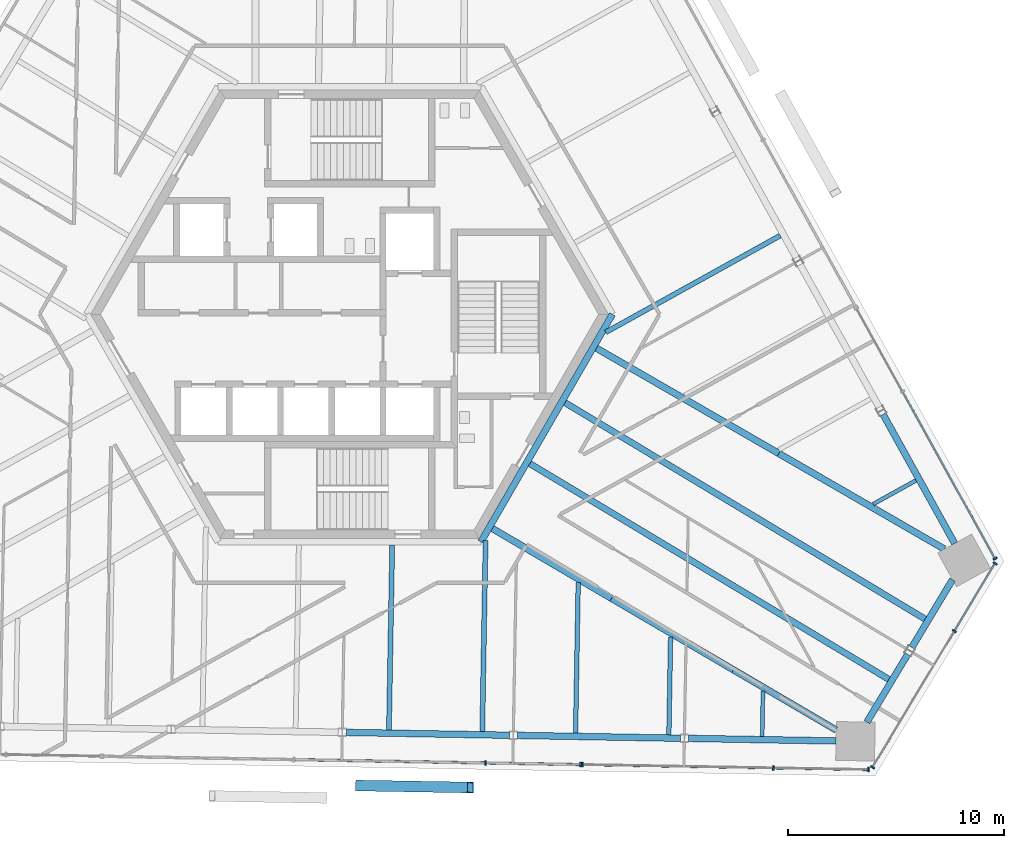
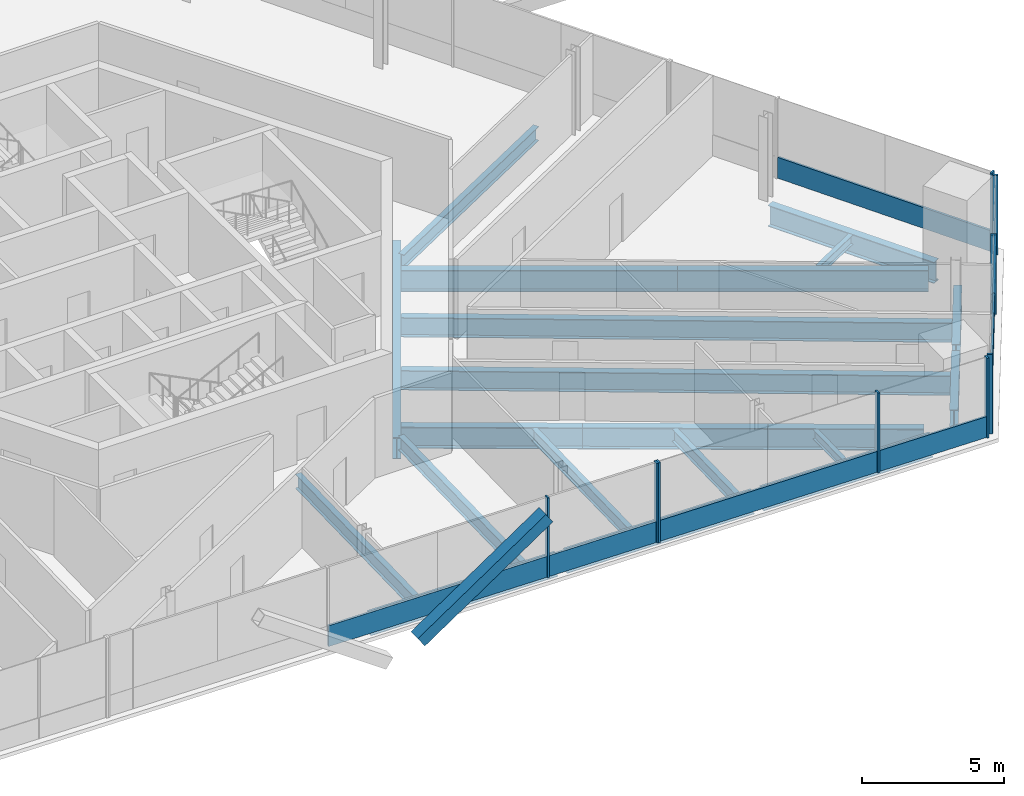
# One storey, part 6 of 18: 21 beams, 17 members, 4 elements without a shape of their own.
"""IFC4 building model written with IfcOpenShell, lengths in metres."""

from ifc_helpers import new_model, si_unit, direction, frame, origin, origin_2d, place, context, subcontext, project, spatial, rectangle, hollow_rectangle, i_section, extrude, source, transform, mapped, material, material_profile, profile_set, type_object, element, aggregate, save


model = new_model("IFC4")

# Units and contexts
model_context = context("Model", 3, precision=1e-05, world=origin(), true_north=direction((0.0, 1.0)))
body_context = subcontext(model_context, "Body", "Model", "MODEL_VIEW")
ifc_project = project(units=[si_unit("LENGTHUNIT", "METRE"), si_unit("AREAUNIT", "SQUARE_METRE"), si_unit("VOLUMEUNIT", "CUBIC_METRE"), si_unit("PLANEANGLEUNIT", "RADIAN"), si_unit("MASSUNIT", "GRAM", prefix="KILO")], contexts=[model_context])

# Site, building, storey
site_placement = place(None, origin())
site = spatial("IfcSite", under=ifc_project, at=site_placement, CompositionType="ELEMENT")
building_placement = place(site_placement, origin())
building = spatial("IfcBuilding", under=site, at=building_placement, Name="Triune Harvest Tower", CompositionType="ELEMENT")
storey_placement = place(building_placement, frame((0.0, 0.0, 197.89990234375)))
storey = spatial("IfcBuildingStorey", under=building, at=storey_placement, Name="L51", CompositionType="ELEMENT", Elevation=197.89990234375)

# Beams
ifc_material_1 = material(Name="Steel ASTM A992 Gr 50", Category="steel")
ifc_material_profile_1 = material_profile(ifc_material_1, i_section(OverallWidth=0.3046875, OverallDepth=0.914306640625, WebThickness=0.0166015625, FlangeThickness=0.02587890625, at=origin_2d()), Name="W36x160")
ifc_profile_set_1 = profile_set([ifc_material_profile_1], Name="Steel ASTM A992 Gr 50")
beam_type_1 = type_object("IfcBeamType", Name="CG-1 Core ring girder W36x160", PredefinedType="BEAM", material=ifc_profile_set_1)
shared_shape_1 = source(origin(), body_context, "Body", "SweptSolid", [
    extrude(i_section(OverallWidth=0.3046875, OverallDepth=0.914306640625, WebThickness=0.0166015625, FlangeThickness=0.02587890625, at=origin_2d()), origin(), (0.0, 0.0, 1.0), 12.176025390625),
])
beam_1_placement = place(storey_placement, frame((6.087890625, -10.544677734375, -0.6171875), z_axis=(0.5000099932, 0.866019634131, 0.0), x_axis=(-0.866019634131, 0.5000099932, 0.0)))
element("IfcBeam", 1, at=beam_1_placement, inside=storey, type_object=beam_type_1, Name="beam/L51/CG6", PredefinedType="BEAM", context=body_context, shape_type="MappedRepresentation", body=[
    mapped(shared_shape_1, transform((0.0, 0.0, 0.0), scale=1.0)),
])
ifc_material_2 = material(Name="Steel ASTM A992 Gr 50", Category="steel")
ifc_material_profile_2 = material_profile(ifc_material_2, i_section(OverallWidth=0.307373046875, OverallDepth=0.922119140625, WebThickness=0.018310546875, FlangeThickness=0.030029296875, at=origin_2d()), Name="W36x182")
ifc_profile_set_2 = profile_set([ifc_material_profile_2], Name="Steel ASTM A992 Gr 50")
beam_type_2 = type_object("IfcBeamType", Name="HG-2 Hip girder W36x182", PredefinedType="BEAM", material=ifc_profile_set_2)
shared_shape_2 = source(origin(), body_context, "Body", "SweptSolid", [
    extrude(i_section(OverallWidth=0.307373046875, OverallDepth=0.922119140625, WebThickness=0.018310546875, FlangeThickness=0.030029296875, at=origin_2d()), origin(), (0.0, 0.0, 1.0), 9.7568359375),
])
beam_2_placement = place(storey_placement, frame((19.893310546875, -6.451904296875, -0.620849609375), z_axis=(-0.866026409454, 0.499998258125, 0.0), x_axis=(-0.499998258125, -0.866026409454, 0.0)))
element("IfcBeam", 2, at=beam_2_placement, inside=storey, type_object=beam_type_2, Name="beam/L51/HG2", PredefinedType="BEAM", context=body_context, shape_type="MappedRepresentation", body=[
    mapped(shared_shape_2, transform((0.0, 0.0, 0.0), scale=1.0)),
])
shared_shape_3 = source(origin(), body_context, "Body", "SweptSolid", [
    extrude(i_section(OverallWidth=0.307373046875, OverallDepth=0.922119140625, WebThickness=0.018310546875, FlangeThickness=0.030029296875, at=origin_2d()), origin(), (0.0, 0.0, 1.0), 6.549560546875),
])
beam_3_placement = place(storey_placement, frame((17.789306640625, -16.475341796875, -0.620849609375), z_axis=(-0.862742829324, 0.50564296737, 0.0), x_axis=(-0.50564296737, -0.862742829324, 0.0)))
element("IfcBeam", 3, at=beam_3_placement, inside=storey, type_object=beam_type_2, Name="beam/L51/HG9", PredefinedType="BEAM", context=body_context, shape_type="MappedRepresentation", body=[
    mapped(shared_shape_3, transform((0.0, 0.0, 0.0), scale=1.0)),
])
shared_shape_4 = source(origin(), body_context, "Body", "SweptSolid", [
    extrude(i_section(OverallWidth=0.307373046875, OverallDepth=0.922119140625, WebThickness=0.018310546875, FlangeThickness=0.030029296875, at=origin_2d()), origin(), (0.0, 0.0, 1.0), 6.397216796875),
])
beam_4_placement = place(storey_placement, frame((12.138671875, -13.16357421875, -0.620849609375), z_axis=(-0.862754230068, 0.505623514583, 0.0), x_axis=(-0.505623514583, -0.862754230068, 0.0)))
element("IfcBeam", 4, at=beam_4_placement, inside=storey, type_object=beam_type_2, Name="beam/L51/HG10", PredefinedType="BEAM", context=body_context, shape_type="MappedRepresentation", body=[
    mapped(shared_shape_4, transform((0.0, 0.0, 0.0), scale=1.0)),
])
ifc_material_3 = material(Name="Steel ASTM A992 Gr 50", Category="steel")
ifc_material_profile_3 = material_profile(ifc_material_3, i_section(OverallWidth=0.3046875, OverallDepth=0.914306640625, WebThickness=0.0166015625, FlangeThickness=0.02587890625, at=origin_2d()), Name="W36x160")
ifc_profile_set_3 = profile_set([ifc_material_profile_3], Name="Steel ASTM A992 Gr 50")
beam_type_3 = type_object("IfcBeamType", Name="SB-1 Spandrel beam W36x160", PredefinedType="SPANDREL", material=ifc_profile_set_3)
shared_shape_5 = source(origin(), body_context, "Body", "SweptSolid", [
    extrude(i_section(OverallWidth=0.3046875, OverallDepth=0.914306640625, WebThickness=0.0166015625, FlangeThickness=0.02587890625, at=origin_2d()), origin(), (0.0, 0.0, 1.0), 6.841796875),
])
for number, where, z_axis, x_axis, name in (
    (5, (28.0390625, -10.61962890625, -0.6171875), (-0.484833781575, 0.87460631386, 0.0), (-0.87460631386, -0.484833781575, 0.0), "beam/L51/SB1"),
    (6, (15.69921875, -19.65185546875, -0.6171875), (0.999847128578, -0.017484835582, 0.0), (0.017484835582, 0.999847128578, 0.0), "beam/L51/SB22"),
):
    element("IfcBeam", number, at=place(storey_placement, frame(where, z_axis=z_axis, x_axis=x_axis)), inside=storey, type_object=beam_type_3, Name=name, PredefinedType="SPANDREL", context=body_context, shape_type="MappedRepresentation", body=[
        mapped(shared_shape_5, transform((0.0, 0.0, 0.0), scale=1.0)),
    ])
shared_shape_6 = source(origin(), body_context, "Body", "SweptSolid", [
    extrude(i_section(OverallWidth=0.3046875, OverallDepth=0.914306640625, WebThickness=0.0166015625, FlangeThickness=0.02587890625, at=origin_2d()), origin(), (0.0, 0.0, 1.0), 3.66357421875),
])
beam_5_placement = place(storey_placement, frame((23.97509765625, -18.896240234375, -0.6171875), z_axis=(0.51504443288, 0.857163480416, 0.0), x_axis=(-0.857163480416, 0.51504443288, 0.0)))
element("IfcBeam", 7, at=beam_5_placement, inside=storey, type_object=beam_type_3, Name="beam/L51/SB23", PredefinedType="SPANDREL", context=body_context, shape_type="MappedRepresentation", body=[
    mapped(shared_shape_6, transform((0.0, 0.0, 0.0), scale=1.0)),
])
shared_shape_7 = source(origin(), body_context, "Body", "SweptSolid", [
    extrude(i_section(OverallWidth=0.3046875, OverallDepth=0.914306640625, WebThickness=0.0166015625, FlangeThickness=0.02587890625, at=origin_2d()), origin(), (0.0, 0.0, 1.0), 7.556640625),
])
for number, where, z_axis, x_axis, name in (
    (8, (-0.15283203125, -19.375244140625, -0.6171875), (0.999847797686, -0.017446531514, 0.0), (0.017446531514, 0.999847797686, 0.0), "beam/L51/SB20"),
    (9, (7.773193359375, -19.513671875, -0.6171875), (0.999847797686, -0.017446531514, 0.0), (0.017446531514, 0.999847797686, 0.0), "beam/L51/SB21"),
):
    element("IfcBeam", number, at=place(storey_placement, frame(where, z_axis=z_axis, x_axis=x_axis)), inside=storey, type_object=beam_type_3, Name=name, PredefinedType="SPANDREL", context=body_context, shape_type="MappedRepresentation", body=[
        mapped(shared_shape_7, transform((0.0, 0.0, 0.0), scale=1.0)),
    ])
shared_shape_8 = source(origin(), body_context, "Body", "SweptSolid", [
    extrude(i_section(OverallWidth=0.3046875, OverallDepth=0.914306640625, WebThickness=0.0166015625, FlangeThickness=0.02587890625, at=origin_2d()), origin(), (0.0, 0.0, 1.0), 3.663818359375),
])
beam_6_placement = place(storey_placement, frame((26.052978515625, -15.43798828125, -0.6171875), z_axis=(0.515093391182, 0.857134060903, 0.0), x_axis=(-0.857134060903, 0.515093391182, 0.0)))
element("IfcBeam", 10, at=beam_6_placement, inside=storey, type_object=beam_type_3, Name="beam/L51/SB24", PredefinedType="SPANDREL", context=body_context, shape_type="MappedRepresentation", body=[
    mapped(shared_shape_8, transform((0.0, 0.0, 0.0), scale=1.0)),
])
shared_shape_9 = source(origin(), body_context, "Body", "SweptSolid", [
    extrude(i_section(OverallWidth=0.307373046875, OverallDepth=0.922119140625, WebThickness=0.018310546875, FlangeThickness=0.030029296875, at=origin_2d()), origin(), (0.0, 0.0, 1.0), 8.859619140625),
])
beam_7_placement = place(storey_placement, frame((27.56591796875, -10.8818359375, -0.620849609375), z_axis=(-0.866018088107, 0.500012670911, 0.0), x_axis=(-0.500012670911, -0.866018088107, 0.0)))
element("IfcBeam", 11, at=beam_7_placement, inside=storey, type_object=beam_type_2, Name="beam/L51/HG1", PredefinedType="BEAM", context=body_context, shape_type="MappedRepresentation", body=[
    mapped(shared_shape_9, transform((0.0, 0.0, 0.0), scale=1.0)),
])
shared_shape_10 = source(origin(), body_context, "Body", "SweptSolid", [
    extrude(i_section(OverallWidth=0.307373046875, OverallDepth=0.922119140625, WebThickness=0.018310546875, FlangeThickness=0.030029296875, at=origin_2d()), origin(), (0.0, 0.0, 1.0), 5.516845703125),
])
beam_8_placement = place(storey_placement, frame((22.548828125, -19.264892578125, -0.620849609375), z_axis=(-0.862738579495, 0.505650218482, 0.0), x_axis=(-0.505650218482, -0.862738579495, 0.0)))
element("IfcBeam", 12, at=beam_8_placement, inside=storey, type_object=beam_type_2, Name="beam/L51/HG8", PredefinedType="BEAM", context=body_context, shape_type="MappedRepresentation", body=[
    mapped(shared_shape_10, transform((0.0, 0.0, 0.0), scale=1.0)),
])
ifc_material_4 = material(Name="Steel ASTM A992 Gr 50", Category="steel")
ifc_material_profile_4 = material_profile(ifc_material_4, i_section(OverallWidth=0.180908203125, OverallDepth=0.41650390625, WebThickness=0.010986328125, FlangeThickness=0.01806640625, at=origin_2d()), Name="W16x57")
ifc_profile_set_4 = profile_set([ifc_material_profile_4], Name="Steel ASTM A992 Gr 50")
beam_type_4 = type_object("IfcBeamType", Name="JT-1 Floor joist W16x57", PredefinedType="JOIST", material=ifc_profile_set_4)
shared_shape_11 = source(origin(), body_context, "Body", "SweptSolid", [
    extrude(i_section(OverallWidth=0.180908203125, OverallDepth=0.41650390625, WebThickness=0.010986328125, FlangeThickness=0.01806640625, at=origin_2d()), origin(), (0.0, 0.0, 1.0), 2.266357421875),
])
beam_9_placement = place(storey_placement, frame((26.24560546875, -7.698974609375, -0.3681640625), z_axis=(-0.874639585413, -0.484773757157, 0.0), x_axis=(0.484773757157, -0.874639585413, 0.0)))
element("IfcBeam", 13, at=beam_9_placement, inside=storey, type_object=beam_type_4, Name="beam/L51/JT1", PredefinedType="JOIST", context=body_context, shape_type="MappedRepresentation", body=[
    mapped(shared_shape_11, transform((0.0, 0.0, 0.0), scale=1.0)),
])
ifc_material_5 = material(Name="Steel ASTM A992 Gr 50", Category="steel")
ifc_material_profile_5 = material_profile(ifc_material_5, i_section(OverallWidth=0.22900390625, OverallDepth=0.612060546875, WebThickness=0.011962890625, FlangeThickness=0.01953125, at=origin_2d()), Name="W24x84")
ifc_profile_set_5 = profile_set([ifc_material_profile_5], Name="Steel ASTM A992 Gr 50")
beam_type_5 = type_object("IfcBeamType", Name="JT-3 Floor joist W24x84", PredefinedType="JOIST", material=ifc_profile_set_5)
shared_shape_12 = source(origin(), body_context, "Body", "SweptSolid", [
    extrude(i_section(OverallWidth=0.22900390625, OverallDepth=0.612060546875, WebThickness=0.011962890625, FlangeThickness=0.01953125, at=origin_2d()), origin(), (0.0, 0.0, 1.0), 9.247314453125),
])
beam_10_placement = place(storey_placement, frame((19.956787109375, 3.646484375, -0.466064453125), z_axis=(-0.874621389222, -0.484806585676, 0.0), x_axis=(0.484806585676, -0.874621389222, 0.0)))
element("IfcBeam", 14, at=beam_10_placement, inside=storey, type_object=beam_type_5, Name="beam/L51/JT4", PredefinedType="JOIST", context=body_context, shape_type="MappedRepresentation", body=[
    mapped(shared_shape_12, transform((0.0, 0.0, 0.0), scale=1.0)),
])
ifc_material_6 = material(Name="Steel ASTM A992 Gr 50", Category="steel")
ifc_material_profile_6 = material_profile(ifc_material_6, i_section(OverallWidth=0.2919921875, OverallDepth=0.8408203125, WebThickness=0.0146484375, FlangeThickness=0.021728515625, at=origin_2d()), Name="W33x130")
ifc_profile_set_6 = profile_set([ifc_material_profile_6], Name="Steel ASTM A992 Gr 50")
beam_type_6 = type_object("IfcBeamType", Name="JT-6 Floor joist W33x130", PredefinedType="JOIST", material=ifc_profile_set_6)
shared_shape_13 = source(origin(), body_context, "Body", "SweptSolid", [
    extrude(i_section(OverallWidth=0.2919921875, OverallDepth=0.8408203125, WebThickness=0.0146484375, FlangeThickness=0.021728515625, at=origin_2d()), origin(), (0.0, 0.0, 1.0), 19.403564453125),
])
beam_11_placement = place(storey_placement, frame((24.98779296875, -16.915283203125, -0.580322265625), z_axis=(-0.857165243619, 0.515041498456, 0.0), x_axis=(-0.515041498456, -0.857165243619, 0.0)))
element("IfcBeam", 15, at=beam_11_placement, inside=storey, type_object=beam_type_6, Name="beam/L51/JT35", PredefinedType="JOIST", context=body_context, shape_type="MappedRepresentation", body=[
    mapped(shared_shape_13, transform((0.0, 0.0, 0.0), scale=1.0)),
])
shared_shape_14 = source(origin(), body_context, "Body", "SweptSolid", [
    extrude(i_section(OverallWidth=0.2919921875, OverallDepth=0.8408203125, WebThickness=0.0146484375, FlangeThickness=0.021728515625, at=origin_2d()), origin(), (0.0, 0.0, 1.0), 19.460205078125),
])
beam_12_placement = place(storey_placement, frame((26.666259765625, -14.12158203125, -0.580322265625), z_axis=(-0.85716841359, 0.515036222749, 0.0), x_axis=(-0.515036222749, -0.85716841359, 0.0)))
element("IfcBeam", 16, at=beam_12_placement, inside=storey, type_object=beam_type_6, Name="beam/L51/JT36", PredefinedType="JOIST", context=body_context, shape_type="MappedRepresentation", body=[
    mapped(shared_shape_14, transform((0.0, 0.0, 0.0), scale=1.0)),
])
shared_shape_15 = source(origin(), body_context, "Body", "SweptSolid", [
    extrude(i_section(OverallWidth=0.22900390625, OverallDepth=0.612060546875, WebThickness=0.011962890625, FlangeThickness=0.01953125, at=origin_2d()), origin(), (0.0, 0.0, 1.0), 8.5615234375),
])
beam_13_placement = place(storey_placement, frame((1.826171875, -19.25732421875, -0.466064453125), z_axis=(0.017451638412, 0.999847708562, 0.0), x_axis=(-0.999847708562, 0.017451638412, 0.0)))
element("IfcBeam", 17, at=beam_13_placement, inside=storey, type_object=beam_type_5, Name="beam/L51/JT30", PredefinedType="JOIST", context=body_context, shape_type="MappedRepresentation", body=[
    mapped(shared_shape_15, transform((0.0, 0.0, 0.0), scale=1.0)),
])
shared_shape_16 = source(origin(), body_context, "Body", "SweptSolid", [
    extrude(i_section(OverallWidth=0.180908203125, OverallDepth=0.41650390625, WebThickness=0.010986328125, FlangeThickness=0.01806640625, at=origin_2d()), origin(), (0.0, 0.0, 1.0), 2.104736328125),
])
beam_14_placement = place(storey_placement, frame((19.119384765625, -19.55908203125, -0.3681640625), z_axis=(0.017398758065, 0.999848630152, 0.0), x_axis=(-0.999848630152, 0.017398758065, 0.0)))
element("IfcBeam", 18, at=beam_14_placement, inside=storey, type_object=beam_type_4, Name="beam/L51/JT34", PredefinedType="JOIST", context=body_context, shape_type="MappedRepresentation", body=[
    mapped(shared_shape_16, transform((0.0, 0.0, 0.0), scale=1.0)),
])
shared_shape_17 = source(origin(), body_context, "Body", "SweptSolid", [
    extrude(i_section(OverallWidth=0.22900390625, OverallDepth=0.612060546875, WebThickness=0.011962890625, FlangeThickness=0.01953125, at=origin_2d()), origin(), (0.0, 0.0, 1.0), 8.859130859375),
])
beam_15_placement = place(storey_placement, frame((6.1494140625, -19.3330078125, -0.466064453125), z_axis=(0.017472043805, 0.999847352192, 0.0), x_axis=(-0.999847352192, 0.017472043805, 0.0)))
element("IfcBeam", 19, at=beam_15_placement, inside=storey, type_object=beam_type_5, Name="beam/L51/JT31", PredefinedType="JOIST", context=body_context, shape_type="MappedRepresentation", body=[
    mapped(shared_shape_17, transform((0.0, 0.0, 0.0), scale=1.0)),
])
ifc_material_7 = material(Name="Steel ASTM A992 Gr 50", Category="steel")
ifc_material_profile_7 = material_profile(ifc_material_7, i_section(OverallWidth=0.2099609375, OverallDepth=0.535888671875, WebThickness=0.010986328125, FlangeThickness=0.017333984375, at=origin_2d()), Name="W21x68")
ifc_profile_set_7 = profile_set([ifc_material_profile_7], Name="Steel ASTM A992 Gr 50")
beam_type_7 = type_object("IfcBeamType", Name="JT-2 Floor joist W21x68", PredefinedType="JOIST", material=ifc_profile_set_7)
shared_shape_18 = source(origin(), body_context, "Body", "SweptSolid", [
    extrude(i_section(OverallWidth=0.2099609375, OverallDepth=0.535888671875, WebThickness=0.010986328125, FlangeThickness=0.017333984375, at=origin_2d()), origin(), (0.0, 0.0, 1.0), 6.972412109375),
])
beam_16_placement = place(storey_placement, frame((10.47265625, -19.408203125, -0.427978515625), z_axis=(0.017472380522, 0.999847346308, 0.0), x_axis=(-0.999847346308, 0.017472380522, 0.0)))
element("IfcBeam", 20, at=beam_16_placement, inside=storey, type_object=beam_type_7, Name="beam/L51/JT32", PredefinedType="JOIST", context=body_context, shape_type="MappedRepresentation", body=[
    mapped(shared_shape_18, transform((0.0, 0.0, 0.0), scale=1.0)),
])
shared_shape_19 = source(origin(), body_context, "Body", "SweptSolid", [
    extrude(i_section(OverallWidth=0.2099609375, OverallDepth=0.535888671875, WebThickness=0.010986328125, FlangeThickness=0.017333984375, at=origin_2d()), origin(), (0.0, 0.0, 1.0), 4.5390625),
])
beam_17_placement = place(storey_placement, frame((14.7958984375, -19.48388671875, -0.427978515625), z_axis=(0.017480786476, 0.999847199378, 0.0), x_axis=(-0.999847199378, 0.017480786476, 0.0)))
element("IfcBeam", 21, at=beam_17_placement, inside=storey, type_object=beam_type_7, Name="beam/L51/JT33", PredefinedType="JOIST", context=body_context, shape_type="MappedRepresentation", body=[
    mapped(shared_shape_19, transform((0.0, 0.0, 0.0), scale=1.0)),
])

# Member
ifc_material_8 = material(Name="Steel ASTM A572 Gr 50", Category="steel")
ifc_material_profile_8 = material_profile(ifc_material_8, hollow_rectangle(XDim=0.5, YDim=0.5, WallThickness=0.030029296875, at=origin_2d()), Name="Box 500x500x30")
ifc_profile_set_8 = profile_set([ifc_material_profile_8], Name="Steel ASTM A572 Gr 50")
member_type_1 = type_object("IfcMemberType", Name="BR-3 Brace Box 500x500x30", PredefinedType="BRACE", material=ifc_profile_set_8)
shared_shape_20 = source(origin(), body_context, "Body", "SweptSolid", [
    extrude(hollow_rectangle(XDim=0.5, YDim=0.5, WallThickness=0.030029296875, at=origin_2d()), origin(), (0.0, 0.0, 1.0), 6.302734375),
])
member_1_placement = place(storey_placement, frame((0.426513671875, -21.837890625, 0.0), z_axis=(0.820690260229, -0.014293420778, 0.571194533314), x_axis=(0.01741369937, 0.999848370041, 0.0)))
element("IfcMember", 22, at=member_1_placement, inside=storey, type_object=member_type_1, Name="brace/B5-F5/d1/6", PredefinedType="BRACE", context=body_context, shape_type="MappedRepresentation", body=[
    mapped(shared_shape_20, transform((0.0, 0.0, 0.0), scale=1.0)),
])

# Curtain wall, member
ifc_material_9 = material(Name="Aluminium bronze anodised", Category="aluminium")
curtain_wall_type_1 = type_object("IfcCurtainWallType", Name="CW-1 Tower stick curtain wall", PredefinedType="NOTDEFINED", material=ifc_material_9)
curtain_wall_1_placement = place(storey_placement, origin())
curtain_wall_1 = element("IfcCurtainWall", 23, at=curtain_wall_1_placement, inside=storey, type_object=curtain_wall_type_1, Name="CW-1 B5-F1 L51 run 1")
ifc_material_10 = material(Name="Aluminium bronze anodised", Category="aluminium")
ifc_material_profile_9 = material_profile(ifc_material_10, rectangle(XDim=0.199951171875, YDim=0.074951171875, at=origin_2d()), Name="MU-1 mullion 75 x 200")
ifc_profile_set_9 = profile_set([ifc_material_profile_9], Name="Aluminium bronze anodised")
member_type_2 = type_object("IfcMemberType", Name="MU-1 mullion 75 x 200", PredefinedType="MULLION", material=ifc_profile_set_9)
shared_shape_21 = source(origin(), body_context, "Body", "SweptSolid", [
    extrude(rectangle(XDim=0.199951171875, YDim=0.074951171875, at=origin_2d()), origin(), (0.0, 0.0, 1.0), 3.440185546875),
])
member_2_placement = place(storey_placement, frame((29.916748046875, -11.321533203125, 0.0), z_axis=(0.0, 0.0, 1.0), x_axis=(-0.874620747076, -0.484807744147, 0.0)))
member_2 = element("IfcMember", 24, at=member_2_placement, type_object=member_type_2, Name="CW-1 mullion B5-F1 1.1", PredefinedType="MULLION", context=body_context, shape_type="MappedRepresentation", body=[
    mapped(shared_shape_21, transform((0.0, 0.0, 0.0), scale=1.0)),
])

# Curtain wall, members
ifc_material_11 = material(Name="Aluminium bronze anodised", Category="aluminium")
curtain_wall_type_2 = type_object("IfcCurtainWallType", Name="CW-7 Tower stick curtain wall with insulated spandrel infill", PredefinedType="NOTDEFINED", material=ifc_material_11)
curtain_wall_2_placement = place(storey_placement, origin())
curtain_wall_2 = element("IfcCurtainWall", 25, at=curtain_wall_2_placement, inside=storey, type_object=curtain_wall_type_2, Name="CW-7 B5-F5 L51 run 1001")
member_3_placement = place(storey_placement, frame((6.304443359375, -20.790283203125, 0.0), z_axis=(0.0, 0.0, 1.0), x_axis=(0.017447237873, 0.999847785361, 0.0)))
member_3 = element("IfcMember", 26, at=member_3_placement, type_object=member_type_2, Name="CW-7 mullion B5-F5 1001.5", PredefinedType="MULLION", context=body_context, shape_type="MappedRepresentation", body=[
    mapped(shared_shape_21, transform((0.0, 0.0, 0.0), scale=1.0)),
])
member_4_placement = place(storey_placement, frame((10.710693359375, -20.8671875, 0.0), z_axis=(0.0, 0.0, 1.0), x_axis=(0.017447237873, 0.999847785361, 0.0)))
member_4 = element("IfcMember", 27, at=member_4_placement, type_object=member_type_2, Name="CW-7 mullion B5-F5 1001.6", PredefinedType="MULLION", context=body_context, shape_type="MappedRepresentation", body=[
    mapped(shared_shape_21, transform((0.0, 0.0, 0.0), scale=1.0)),
])

curtain_wall_3_placement = place(storey_placement, origin())
curtain_wall_3 = element("IfcCurtainWall", 28, at=curtain_wall_3_placement, inside=storey, type_object=curtain_wall_type_1, Name="CW-1 B5-F5 L51 run 2001")
member_5_placement = place(storey_placement, frame((10.78564453125, -20.868408203125, 0.0), z_axis=(0.0, 0.0, 1.0), x_axis=(0.017455340552, 0.999847643937, 0.0)))
member_5 = element("IfcMember", 29, at=member_5_placement, type_object=member_type_2, Name="CW-1 mullion B5-F5 2001.1", PredefinedType="MULLION", context=body_context, shape_type="MappedRepresentation", body=[
    mapped(shared_shape_21, transform((0.0, 0.0, 0.0), scale=1.0)),
])
member_6_placement = place(storey_placement, frame((19.63525390625, -21.02294921875, 0.0), z_axis=(0.0, 0.0, 1.0), x_axis=(0.017455340552, 0.999847643937, 0.0)))
member_6 = element("IfcMember", 30, at=member_6_placement, type_object=member_type_2, Name="CW-1 mullion B5-F5 2001.3", PredefinedType="MULLION", context=body_context, shape_type="MappedRepresentation", body=[
    mapped(shared_shape_21, transform((0.0, 0.0, 0.0), scale=1.0)),
])
member_7_placement = place(storey_placement, frame((24.04150390625, -21.099853515625, 0.0), z_axis=(0.0, 0.0, 1.0), x_axis=(0.017455340552, 0.999847643937, 0.0)))
member_7 = element("IfcMember", 31, at=member_7_placement, type_object=member_type_2, Name="CW-1 mullion B5-F5 2001.4", PredefinedType="MULLION", context=body_context, shape_type="MappedRepresentation", body=[
    mapped(shared_shape_21, transform((0.0, 0.0, 0.0), scale=1.0)),
])

curtain_wall_4_placement = place(storey_placement, origin())
curtain_wall_4 = element("IfcCurtainWall", 32, at=curtain_wall_4_placement, inside=storey, type_object=curtain_wall_type_1, Name="CW-1 B5-F6 L51 run 1")
member_8_placement = place(storey_placement, frame((24.234619140625, -20.992919921875, 0.0), z_axis=(0.0, 0.0, 1.0), x_axis=(-0.857168135313, 0.515036685882, 0.0)))
member_8 = element("IfcMember", 33, at=member_8_placement, type_object=member_type_2, Name="CW-1 mullion B5-F6 1.1", PredefinedType="MULLION", context=body_context, shape_type="MappedRepresentation", body=[
    mapped(shared_shape_21, transform((0.0, 0.0, 0.0), scale=1.0)),
])
member_9_placement = place(storey_placement, frame((28.026611328125, -14.681884765625, 0.0), z_axis=(0.0, 0.0, 1.0), x_axis=(-0.857168135313, 0.515036685882, 0.0)))
member_9 = element("IfcMember", 34, at=member_9_placement, type_object=member_type_2, Name="CW-1 mullion B5-F6 1.3", PredefinedType="MULLION", context=body_context, shape_type="MappedRepresentation", body=[
    mapped(shared_shape_21, transform((0.0, 0.0, 0.0), scale=1.0)),
])
member_10_placement = place(storey_placement, frame((29.912841796875, -11.54248046875, 0.0), z_axis=(0.0, 0.0, 1.0), x_axis=(-0.857168135313, 0.515036685882, 0.0)))
member_10 = element("IfcMember", 35, at=member_10_placement, type_object=member_type_2, Name="CW-1 mullion B5-F6 1.4", PredefinedType="MULLION", context=body_context, shape_type="MappedRepresentation", body=[
    mapped(shared_shape_21, transform((0.0, 0.0, 0.0), scale=1.0)),
])
ifc_material_12 = material(Name="Aluminium bronze anodised", Category="aluminium")
ifc_material_profile_10 = material_profile(ifc_material_12, rectangle(XDim=0.090087890625, YDim=0.89990234375, at=origin_2d()), Name="TR-1 transom 90 x 900")
ifc_profile_set_10 = profile_set([ifc_material_profile_10], Name="Aluminium bronze anodised")
member_type_3 = type_object("IfcMemberType", Name="TR-1 transom 90 x 900", PredefinedType="USERDEFINED", material=ifc_profile_set_10)
shared_shape_22 = source(origin(), body_context, "Body", "SweptSolid", [
    extrude(rectangle(XDim=0.090087890625, YDim=0.89990234375, at=origin_2d()), origin(), (0.0, 0.0, 1.0), 7.287841796875),
])
member_11_placement = place(storey_placement, frame((24.25390625, -20.960693359375, 0.4501953125), z_axis=(0.515032643637, 0.857170564117, 0.0), x_axis=(-0.857170564117, 0.515032643637, 0.0)))
member_11 = element("IfcMember", 36, at=member_11_placement, type_object=member_type_3, Name="CW-1 transom B5-F6 1.1", ObjectType="TRANSOM", PredefinedType="USERDEFINED", context=body_context, shape_type="MappedRepresentation", body=[
    mapped(shared_shape_22, transform((0.0, 0.0, 0.0), scale=1.0)),
])
shared_shape_23 = source(origin(), body_context, "Body", "SweptSolid", [
    extrude(rectangle(XDim=0.090087890625, YDim=0.89990234375, at=origin_2d()), origin(), (0.0, 0.0, 1.0), 3.587646484375),
])
member_12_placement = place(storey_placement, frame((28.0458984375, -14.649658203125, 0.4501953125), z_axis=(0.515016056834, 0.857180530112, 0.0), x_axis=(-0.857180530112, 0.515016056834, 0.0)))
member_12 = element("IfcMember", 37, at=member_12_placement, type_object=member_type_3, Name="CW-1 transom B5-F6 1.2", ObjectType="TRANSOM", PredefinedType="USERDEFINED", context=body_context, shape_type="MappedRepresentation", body=[
    mapped(shared_shape_23, transform((0.0, 0.0, 0.0), scale=1.0)),
])
aggregate(curtain_wall_4, [member_8, member_9, member_10, member_11, member_12])

# Member
shared_shape_24 = source(origin(), body_context, "Body", "SweptSolid", [
    extrude(rectangle(XDim=0.090087890625, YDim=0.89990234375, at=origin_2d()), origin(), (0.0, 0.0, 1.0), 8.776123046875),
])
member_13_placement = place(storey_placement, frame((29.898681640625, -11.288818359375, 0.4501953125), z_axis=(-0.484820758648, 0.87461353293, 0.0), x_axis=(-0.87461353293, -0.484820758648, 0.0)))
member_13 = element("IfcMember", 38, at=member_13_placement, type_object=member_type_3, Name="CW-1 transom B5-F1 1.1", ObjectType="TRANSOM", PredefinedType="USERDEFINED", context=body_context, shape_type="MappedRepresentation", body=[
    mapped(shared_shape_24, transform((0.0, 0.0, 0.0), scale=1.0)),
])

aggregate(curtain_wall_1, [member_2, member_13])

member_14_placement = place(storey_placement, frame((10.822998046875, -20.869140625, 0.4501953125), z_axis=(0.999847874683, -0.017442118341, 0.0), x_axis=(0.017442118341, 0.999847874683, 0.0)))
member_14 = element("IfcMember", 39, at=member_14_placement, type_object=member_type_3, Name="CW-1 transom B5-F5 2001.1", ObjectType="TRANSOM", PredefinedType="USERDEFINED", context=body_context, shape_type="MappedRepresentation", body=[
    mapped(shared_shape_24, transform((0.0, 0.0, 0.0), scale=1.0)),
])

shared_shape_25 = source(origin(), body_context, "Body", "SweptSolid", [
    extrude(rectangle(XDim=0.090087890625, YDim=0.89990234375, at=origin_2d()), origin(), (0.0, 0.0, 1.0), 4.331787109375),
])
member_15_placement = place(storey_placement, frame((6.342041015625, -20.791015625, 0.4501953125), z_axis=(0.999848336553, -0.017415622097, 0.0), x_axis=(0.017415622097, 0.999848336553, 0.0)))
member_15 = element("IfcMember", 40, at=member_15_placement, type_object=member_type_3, Name="CW-7 transom B5-F5 1001.3", ObjectType="TRANSOM", PredefinedType="USERDEFINED", context=body_context, shape_type="MappedRepresentation", body=[
    mapped(shared_shape_25, transform((0.0, 0.0, 0.0), scale=1.0)),
])

member_16_placement = place(storey_placement, frame((19.6728515625, -21.023681640625, 0.4501953125), z_axis=(0.999848336553, -0.017415622097, 0.0), x_axis=(0.017415622097, 0.999848336553, 0.0)))
member_16 = element("IfcMember", 41, at=member_16_placement, type_object=member_type_3, Name="CW-1 transom B5-F5 2001.2", ObjectType="TRANSOM", PredefinedType="USERDEFINED", context=body_context, shape_type="MappedRepresentation", body=[
    mapped(shared_shape_25, transform((0.0, 0.0, 0.0), scale=1.0)),
])

aggregate(curtain_wall_3, [member_5, member_6, member_7, member_14, member_16])

shared_shape_26 = source(origin(), body_context, "Body", "SweptSolid", [
    extrude(rectangle(XDim=0.090087890625, YDim=0.89990234375, at=origin_2d()), origin(), (0.0, 0.0, 1.0), 8.8134765625),
])
member_17_placement = place(storey_placement, frame((-2.545166015625, -20.6357421875, 0.4501953125), z_axis=(0.999847714765, -0.017451283012, 0.0), x_axis=(0.017451283012, 0.999847714765, 0.0)))
member_17 = element("IfcMember", 42, at=member_17_placement, type_object=member_type_3, Name="CW-7 transom B5-F5 1001.2", ObjectType="TRANSOM", PredefinedType="USERDEFINED", context=body_context, shape_type="MappedRepresentation", body=[
    mapped(shared_shape_26, transform((0.0, 0.0, 0.0), scale=1.0)),
])

aggregate(curtain_wall_2, [member_3, member_4, member_17, member_15])

save(model, "model.ifc")
